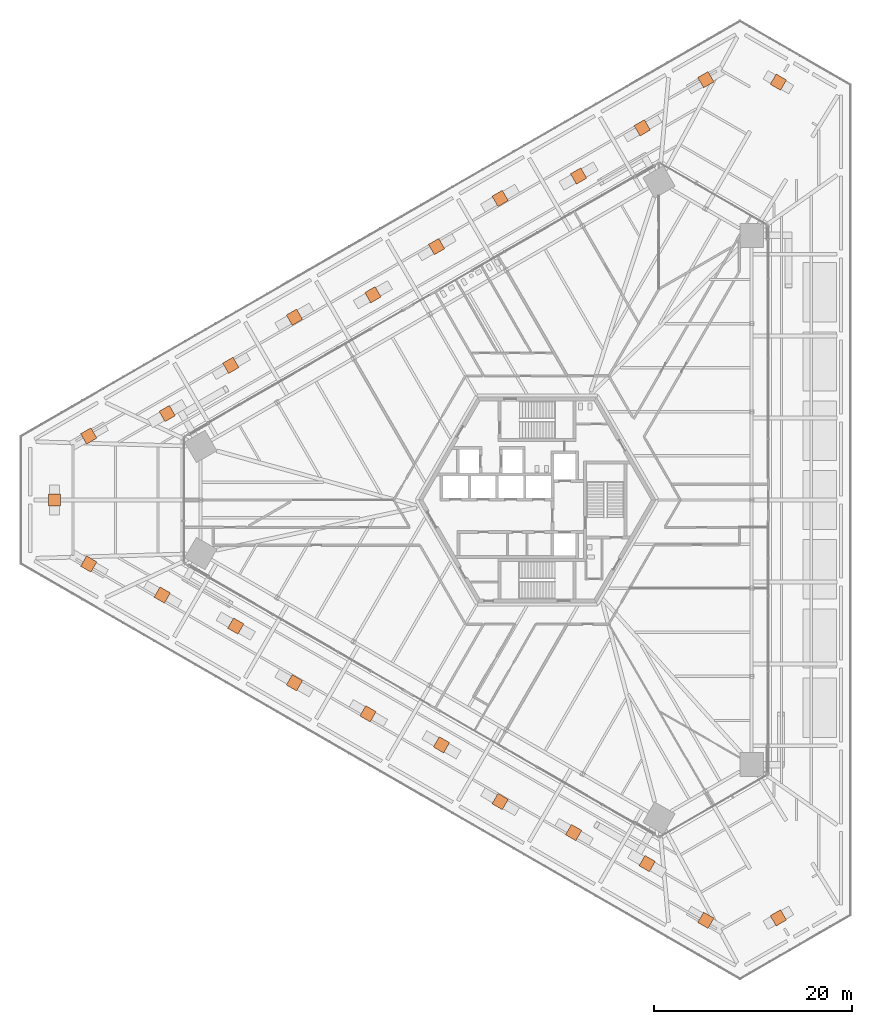
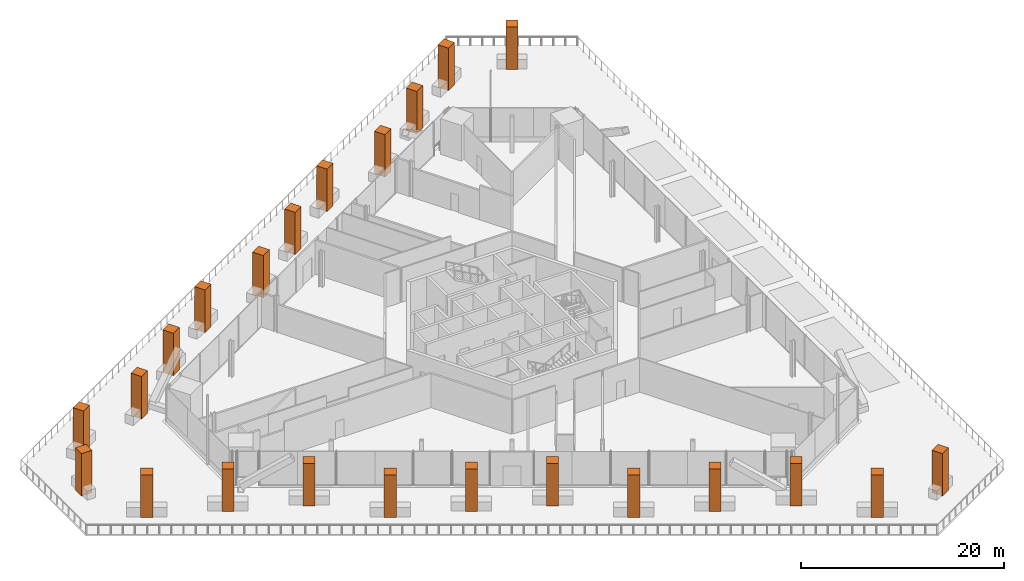
# One storey, part 38 of 38: 23 geographic elements.
"""IFC4 building model written with IfcOpenShell, lengths in metres."""

from ifc_helpers import new_model, si_unit, direction, frame, origin, origin_2d, place, context, subcontext, project, spatial, rectangle, extrude, source, transform, mapped, material, type_object, element, save


model = new_model("IFC4")

# Units and contexts
model_context = context("Model", 3, precision=1e-05, world=origin(), true_north=direction((0.0, 1.0)))
body_context = subcontext(model_context, "Body", "Model", "MODEL_VIEW")
ifc_project = project(units=[si_unit("LENGTHUNIT", "METRE"), si_unit("AREAUNIT", "SQUARE_METRE"), si_unit("VOLUMEUNIT", "CUBIC_METRE"), si_unit("PLANEANGLEUNIT", "RADIAN"), si_unit("MASSUNIT", "GRAM", prefix="KILO")], contexts=[model_context])

# Site, building, storey
site_placement = place(None, origin())
site = spatial("IfcSite", under=ifc_project, at=site_placement, CompositionType="ELEMENT")
building_placement = place(site_placement, origin())
building = spatial("IfcBuilding", under=site, at=building_placement, Name="Triune Harvest Tower", CompositionType="ELEMENT")
storey_placement = place(building_placement, frame((0.0, 0.0, 16.0)))
storey = spatial("IfcBuildingStorey", under=building, at=storey_placement, Name="L03", CompositionType="ELEMENT", Elevation=16.0)

# Geographic elements
ifc_material = material(Name="TREE-2 terrace tree")
geographic_element_type = type_object("IfcGeographicElementType", Name="TREE-2 terrace tree", PredefinedType="USERDEFINED", material=ifc_material)
shared_shape = source(origin(), body_context, "Body", "SweptSolid", [
    extrude(rectangle(XDim=1.199951171875, YDim=1.199951171875, at=origin_2d()), origin(), (0.0, 0.0, 1.0), 5.10009765625),
])
for number, where, z_axis, x_axis, name in (
    (1, (24.375, 42.218994140625, 0.0), (0.0, 0.0, 1.0), (-0.866027149108, 0.499996976998, 0.0), "Terrace tree 1"),
    (2, (17.0498046875, 42.468994140625, 0.0), (0.0, 0.0, 1.0), (-0.866025403784, -0.5, 0.0), "Terrace tree 2"),
    (3, (10.62158203125, 37.602783203125, 0.0), (0.0, 0.0, 1.0), (-0.866025403784, -0.5, 0.0), "Terrace tree 3"),
    (4, (4.193359375, 32.73681640625, 0.0), (0.0, 0.0, 1.0), (-0.866025403784, -0.5, 0.0), "Terrace tree 4"),
    (5, (-3.73486328125, 30.468994140625, 0.0), (0.0, 0.0, 1.0), (-0.866025403784, -0.5, 0.0), "Terrace tree 5"),
    (6, (-10.1630859375, 25.602783203125, 0.0), (0.0, 0.0, 1.0), (-0.866025403784, -0.5, 0.0), "Terrace tree 6"),
    (7, (-16.59130859375, 20.73681640625, 0.0), (0.0, 0.0, 1.0), (-0.866025403784, -0.5, 0.0), "Terrace tree 7"),
    (8, (-24.51953125, 18.468994140625, 0.0), (0.0, 0.0, 1.0), (-0.866025403784, -0.5, 0.0), "Terrace tree 8"),
    (9, (-30.94775390625, 13.602783203125, 0.0), (0.0, 0.0, 1.0), (-0.866025403784, -0.5, 0.0), "Terrace tree 9"),
    (10, (-37.3759765625, 8.73681640625, 0.0), (0.0, 0.0, 1.0), (-0.866025403784, -0.5, 0.0), "Terrace tree 10"),
    (11, (-45.30419921875, 6.468994140625, 0.0), (0.0, 0.0, 1.0), (-0.866025403784, -0.5, 0.0), "Terrace tree 11"),
    (12, (-48.750244140625, 0.0, 0.0), (0.0, 0.0, 1.0), (0.0, -1.0, 0.0), "Terrace tree 12"),
    (13, (-45.303955078125, -6.468994140625, 0.0), (0.0, 0.0, 1.0), (0.866025403784, -0.5, 0.0), "Terrace tree 13"),
    (14, (-37.875732421875, -9.602783203125, 0.0), (0.0, 0.0, 1.0), (0.866025403784, -0.5, 0.0), "Terrace tree 14"),
    (15, (-30.447509765625, -12.73681640625, 0.0), (0.0, 0.0, 1.0), (0.866025403784, -0.5, 0.0), "Terrace tree 15"),
    (16, (-24.519287109375, -18.468994140625, 0.0), (0.0, 0.0, 1.0), (0.866025403784, -0.5, 0.0), "Terrace tree 16"),
    (17, (-17.09130859375, -21.602783203125, 0.0), (0.0, 0.0, 1.0), (0.866025403784, -0.5, 0.0), "Terrace tree 17"),
    (18, (-9.6630859375, -24.73681640625, 0.0), (0.0, 0.0, 1.0), (0.866025403784, -0.5, 0.0), "Terrace tree 18"),
    (19, (-3.73486328125, -30.468994140625, 0.0), (0.0, 0.0, 1.0), (0.866025403784, -0.5, 0.0), "Terrace tree 19"),
    (20, (3.693359375, -33.602783203125, 0.0), (0.0, 0.0, 1.0), (0.866025403784, -0.5, 0.0), "Terrace tree 20"),
    (21, (11.12158203125, -36.73681640625, 0.0), (0.0, 0.0, 1.0), (0.866025403784, -0.5, 0.0), "Terrace tree 21"),
    (22, (17.0498046875, -42.468994140625, 0.0), (0.0, 0.0, 1.0), (0.866025403784, -0.5, 0.0), "Terrace tree 22"),
    (23, (24.375, -42.218994140625, 0.0), (0.0, 0.0, 1.0), (0.866027149108, 0.499996976998, 0.0), "Terrace tree 23"),
):
    element("IfcGeographicElement", number, at=place(storey_placement, frame(where, z_axis=z_axis, x_axis=x_axis)), inside=storey, type_object=geographic_element_type, Name=name, ObjectType="TREE", PredefinedType="USERDEFINED", context=body_context, shape_type="MappedRepresentation", body=[
        mapped(shared_shape, transform((0.0, 0.0, 0.0), scale=1.0)),
    ])

save(model, "model.ifc")
